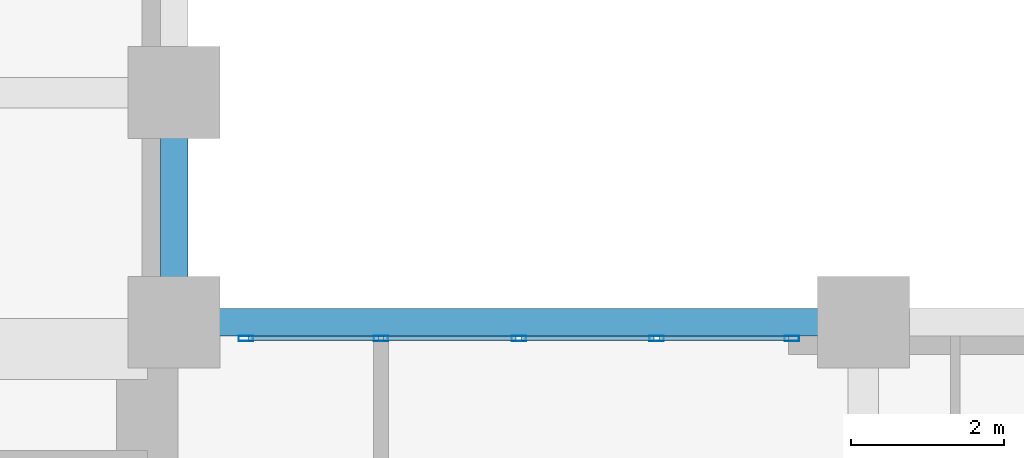
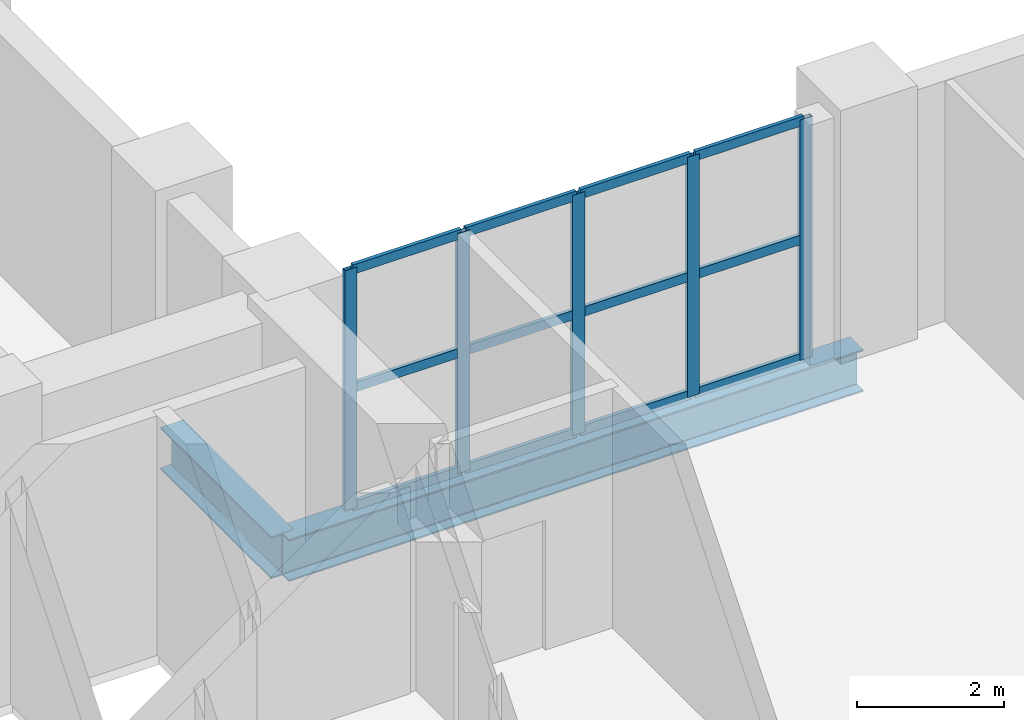
# One storey, part 2 of 8: 17 members, 2 beams, 1 element without a shape of its own.
"""IFC4 building model written with IfcOpenShell, lengths in metres."""

from ifc_helpers import new_model, si_unit, direction, frame, origin, origin_2d, place, context, subcontext, project, spatial, hollow_rectangle, i_section, extrude, material, layer, layer_set, material_profile, profile_set, type_object, element, aggregate, save


model = new_model("IFC4")

# Units and contexts
model_context = context("Model", 3, precision=1e-05, world=origin(), true_north=direction((0.0, 1.0)))
body_context = subcontext(model_context, "Body", "Model", "MODEL_VIEW")
ifc_project = project(units=[si_unit("LENGTHUNIT", "METRE"), si_unit("AREAUNIT", "SQUARE_METRE"), si_unit("VOLUMEUNIT", "CUBIC_METRE"), si_unit("PLANEANGLEUNIT", "RADIAN"), si_unit("MASSUNIT", "GRAM", prefix="KILO")], contexts=[model_context])

# Site, building, storey
site_placement = place(None, origin())
site = spatial("IfcSite", under=ifc_project, at=site_placement, CompositionType="ELEMENT")
building_placement = place(site_placement, origin())
building = spatial("IfcBuilding", under=site, at=building_placement, Name="Mawjdan Bourse Tower", CompositionType="ELEMENT")
storey_placement = place(building_placement, frame((0.0, 0.0, 25.800048828125)))
storey = spatial("IfcBuildingStorey", under=building, at=storey_placement, Name="L05", CompositionType="ELEMENT", Elevation=25.800048828125)

# Curtain wall, members
ifc_material_1 = material(Name="Thermally Broken Aluminium and Solar Glass", Category="aluminium")
ifc_layer = layer(ifc_material_1, 0.219970703125)
ifc_layer_set = layer_set([ifc_layer], Name="Thermally Broken Aluminium and Solar Glass")
curtain_wall_type = type_object("IfcCurtainWallType", Name="CW-ATR", PredefinedType="USERDEFINED", material=ifc_layer_set)
curtain_wall_placement = place(storey_placement, origin())
curtain_wall = element("IfcCurtainWall", 1, at=curtain_wall_placement, inside=storey, type_object=curtain_wall_type, Name="L05 Northeast Atrium Court Curtain Wall", ObjectType="ATRIUM GLAZED CURTAIN WALL", PredefinedType="USERDEFINED")
ifc_material_2 = material(Name="Thermally Broken Anodised Aluminium", Category="aluminium")
ifc_material_profile_1 = material_profile(ifc_material_2, hollow_rectangle(XDim=0.070068359375, YDim=0.18994140625, WallThickness=0.00439453125, at=origin_2d()), Name="ALU-MUL-190X70")
ifc_profile_set_1 = profile_set([ifc_material_profile_1], Name="Thermally Broken Anodised Aluminium")
member_type_1 = type_object("IfcMemberType", Name="MUL-ALU-MUL-190X70", PredefinedType="MULLION", material=ifc_profile_set_1)
member_1_placement = place(storey_placement, frame((32.06494140625, 20.7900390625, 0.0), z_axis=(0.0, 0.0, 1.0), x_axis=(0.0, -1.0, 0.0)))
member_1 = element("IfcMember", 2, at=member_1_placement, type_object=member_type_1, Name="CW-ATR-L05-ATR-NE mullion 1", PredefinedType="MULLION", context=body_context, shape_type="SweptSolid", body=[
    extrude(hollow_rectangle(XDim=0.070068359375, YDim=0.18994140625, WallThickness=0.00439453125, at=origin_2d()), origin(), (0.0, 0.0, 1.0), 3.97998046875),
])
member_2_placement = place(storey_placement, frame((30.300048828125, 20.7900390625, 0.0), z_axis=(0.0, 0.0, 1.0), x_axis=(0.0, -1.0, 0.0)))
member_2 = element("IfcMember", 3, at=member_2_placement, type_object=member_type_1, Name="CW-ATR-L05-ATR-NE mullion 2", PredefinedType="MULLION", context=body_context, shape_type="SweptSolid", body=[
    extrude(hollow_rectangle(XDim=0.070068359375, YDim=0.18994140625, WallThickness=0.00439453125, at=origin_2d()), origin(), (0.0, 0.0, 1.0), 3.97998046875),
])
member_3_placement = place(storey_placement, frame((28.5, 20.7900390625, 0.0), z_axis=(0.0, 0.0, 1.0), x_axis=(0.0, -1.0, 0.0)))
member_3 = element("IfcMember", 4, at=member_3_placement, type_object=member_type_1, Name="CW-ATR-L05-ATR-NE mullion 3", PredefinedType="MULLION", context=body_context, shape_type="SweptSolid", body=[
    extrude(hollow_rectangle(XDim=0.070068359375, YDim=0.18994140625, WallThickness=0.00439453125, at=origin_2d()), origin(), (0.0, 0.0, 1.0), 3.97998046875),
])
member_4_placement = place(storey_placement, frame((26.699951171875, 20.7900390625, 0.0), z_axis=(0.0, 0.0, 1.0), x_axis=(0.0, -1.0, 0.0)))
member_4 = element("IfcMember", 5, at=member_4_placement, type_object=member_type_1, Name="CW-ATR-L05-ATR-NE mullion 4", PredefinedType="MULLION", context=body_context, shape_type="SweptSolid", body=[
    extrude(hollow_rectangle(XDim=0.070068359375, YDim=0.18994140625, WallThickness=0.00439453125, at=origin_2d()), origin(), (0.0, 0.0, 1.0), 3.97998046875),
])
member_5_placement = place(storey_placement, frame((24.93505859375, 20.7900390625, 0.0), z_axis=(0.0, 0.0, 1.0), x_axis=(0.0, -1.0, 0.0)))
member_5 = element("IfcMember", 6, at=member_5_placement, type_object=member_type_1, Name="CW-ATR-L05-ATR-NE mullion 5", PredefinedType="MULLION", context=body_context, shape_type="SweptSolid", body=[
    extrude(hollow_rectangle(XDim=0.070068359375, YDim=0.18994140625, WallThickness=0.00439453125, at=origin_2d()), origin(), (0.0, 0.0, 1.0), 3.97998046875),
])

# Beams
ifc_material_3 = material(Name="Structural Steel S355", Category="steel")
ifc_material_profile_2 = material_profile(ifc_material_3, i_section(OverallWidth=0.35498046875, OverallDepth=0.696044921875, WebThickness=0.015380859375, FlangeThickness=0.02490234375, FilletRadius=0.019775390625, at=origin_2d()), Name="W27X146")
ifc_profile_set_2 = profile_set([ifc_material_profile_2], Name="Structural Steel S355")
beam_type = type_object("IfcBeamType", Name="SPN-W27X146", PredefinedType="SPANDREL", material=ifc_profile_set_2)
beam_1_placement = place(storey_placement, frame((24.0, 21.0, -0.568115234375), z_axis=(1.0, 0.0, 0.0), x_axis=(0.0, 1.0, 0.0)))
element("IfcBeam", 7, at=beam_1_placement, inside=storey, type_object=beam_type, Name="L05 Perimeter Masonry-Shelf Spandrel 018", PredefinedType="SPANDREL", context=body_context, shape_type="SweptSolid", body=[
    extrude(i_section(OverallWidth=0.35498046875, OverallDepth=0.696044921875, WebThickness=0.015380859375, FlangeThickness=0.02490234375, FilletRadius=0.019775390625, at=origin_2d()), origin(), (0.0, 0.0, 1.0), 9.0),
])
beam_2_placement = place(storey_placement, frame((24.0, 21.0, -0.568115234375), z_axis=(0.0, 1.0, 0.0), x_axis=(-1.0, 0.0, 0.0)))
element("IfcBeam", 8, at=beam_2_placement, inside=storey, type_object=beam_type, Name="L05 North Wing Spandrel 083", PredefinedType="SPANDREL", context=body_context, shape_type="SweptSolid", body=[
    extrude(i_section(OverallWidth=0.35498046875, OverallDepth=0.696044921875, WebThickness=0.015380859375, FlangeThickness=0.02490234375, FilletRadius=0.019775390625, at=origin_2d()), origin(), (0.0, 0.0, 1.0), 3.0),
])

# Member
ifc_material_profile_3 = material_profile(ifc_material_2, hollow_rectangle(XDim=0.06005859375, YDim=0.155029296875, WallThickness=0.00390625, at=origin_2d()), Name="ALU-TRN-155X60")
ifc_profile_set_3 = profile_set([ifc_material_profile_3], Name="Thermally Broken Anodised Aluminium")
member_type_2 = type_object("IfcMemberType", Name="TRN-ALU-TRN-155X60", PredefinedType="USERDEFINED", material=ifc_profile_set_3)
member_6_placement = place(storey_placement, frame((32.030029296875, 20.7900390625, 0.030029296875), z_axis=(-1.0, 0.0, 0.0), x_axis=(0.0, -1.0, 0.0)))
member_6 = element("IfcMember", 9, at=member_6_placement, type_object=member_type_2, Name="CW-ATR-L05-ATR-NE transom 1.1", ObjectType="TRANSOM", PredefinedType="USERDEFINED", context=body_context, shape_type="SweptSolid", body=[
    extrude(hollow_rectangle(XDim=0.06005859375, YDim=0.155029296875, WallThickness=0.00390625, at=origin_2d()), origin(), (0.0, 0.0, 1.0), 1.695068359375),
])

member_7_placement = place(storey_placement, frame((32.030029296875, 20.7900390625, 1.989990234375), z_axis=(-1.0, 0.0, 0.0), x_axis=(0.0, -1.0, 0.0)))
member_7 = element("IfcMember", 10, at=member_7_placement, type_object=member_type_2, Name="CW-ATR-L05-ATR-NE transom 1.2", ObjectType="TRANSOM", PredefinedType="USERDEFINED", context=body_context, shape_type="SweptSolid", body=[
    extrude(hollow_rectangle(XDim=0.06005859375, YDim=0.155029296875, WallThickness=0.00390625, at=origin_2d()), origin(), (0.0, 0.0, 1.0), 1.695068359375),
])

member_8_placement = place(storey_placement, frame((32.030029296875, 20.7900390625, 3.949951171875), z_axis=(-1.0, 0.0, 0.0), x_axis=(0.0, -1.0, 0.0)))
member_8 = element("IfcMember", 11, at=member_8_placement, type_object=member_type_2, Name="CW-ATR-L05-ATR-NE transom 1.3", ObjectType="TRANSOM", PredefinedType="USERDEFINED", context=body_context, shape_type="SweptSolid", body=[
    extrude(hollow_rectangle(XDim=0.06005859375, YDim=0.155029296875, WallThickness=0.00390625, at=origin_2d()), origin(), (0.0, 0.0, 1.0), 1.695068359375),
])

member_9_placement = place(storey_placement, frame((30.264892578125, 20.7900390625, 0.030029296875), z_axis=(-1.0, 0.0, 0.0), x_axis=(0.0, -1.0, 0.0)))
member_9 = element("IfcMember", 12, at=member_9_placement, type_object=member_type_2, Name="CW-ATR-L05-ATR-NE transom 2.1", ObjectType="TRANSOM", PredefinedType="USERDEFINED", context=body_context, shape_type="SweptSolid", body=[
    extrude(hollow_rectangle(XDim=0.06005859375, YDim=0.155029296875, WallThickness=0.00390625, at=origin_2d()), origin(), (0.0, 0.0, 1.0), 1.72998046875),
])

member_10_placement = place(storey_placement, frame((30.264892578125, 20.7900390625, 1.989990234375), z_axis=(-1.0, 0.0, 0.0), x_axis=(0.0, -1.0, 0.0)))
member_10 = element("IfcMember", 13, at=member_10_placement, type_object=member_type_2, Name="CW-ATR-L05-ATR-NE transom 2.2", ObjectType="TRANSOM", PredefinedType="USERDEFINED", context=body_context, shape_type="SweptSolid", body=[
    extrude(hollow_rectangle(XDim=0.06005859375, YDim=0.155029296875, WallThickness=0.00390625, at=origin_2d()), origin(), (0.0, 0.0, 1.0), 1.72998046875),
])

member_11_placement = place(storey_placement, frame((30.264892578125, 20.7900390625, 3.949951171875), z_axis=(-1.0, 0.0, 0.0), x_axis=(0.0, -1.0, 0.0)))
member_11 = element("IfcMember", 14, at=member_11_placement, type_object=member_type_2, Name="CW-ATR-L05-ATR-NE transom 2.3", ObjectType="TRANSOM", PredefinedType="USERDEFINED", context=body_context, shape_type="SweptSolid", body=[
    extrude(hollow_rectangle(XDim=0.06005859375, YDim=0.155029296875, WallThickness=0.00390625, at=origin_2d()), origin(), (0.0, 0.0, 1.0), 1.72998046875),
])

member_12_placement = place(storey_placement, frame((28.465087890625, 20.7900390625, 0.030029296875), z_axis=(-1.0, 0.0, 0.0), x_axis=(0.0, -1.0, 0.0)))
member_12 = element("IfcMember", 15, at=member_12_placement, type_object=member_type_2, Name="CW-ATR-L05-ATR-NE transom 3.1", ObjectType="TRANSOM", PredefinedType="USERDEFINED", context=body_context, shape_type="SweptSolid", body=[
    extrude(hollow_rectangle(XDim=0.06005859375, YDim=0.155029296875, WallThickness=0.00390625, at=origin_2d()), origin(), (0.0, 0.0, 1.0), 1.72998046875),
])

member_13_placement = place(storey_placement, frame((28.465087890625, 20.7900390625, 1.989990234375), z_axis=(-1.0, 0.0, 0.0), x_axis=(0.0, -1.0, 0.0)))
member_13 = element("IfcMember", 16, at=member_13_placement, type_object=member_type_2, Name="CW-ATR-L05-ATR-NE transom 3.2", ObjectType="TRANSOM", PredefinedType="USERDEFINED", context=body_context, shape_type="SweptSolid", body=[
    extrude(hollow_rectangle(XDim=0.06005859375, YDim=0.155029296875, WallThickness=0.00390625, at=origin_2d()), origin(), (0.0, 0.0, 1.0), 1.72998046875),
])

member_14_placement = place(storey_placement, frame((28.465087890625, 20.7900390625, 3.949951171875), z_axis=(-1.0, 0.0, 0.0), x_axis=(0.0, -1.0, 0.0)))
member_14 = element("IfcMember", 17, at=member_14_placement, type_object=member_type_2, Name="CW-ATR-L05-ATR-NE transom 3.3", ObjectType="TRANSOM", PredefinedType="USERDEFINED", context=body_context, shape_type="SweptSolid", body=[
    extrude(hollow_rectangle(XDim=0.06005859375, YDim=0.155029296875, WallThickness=0.00390625, at=origin_2d()), origin(), (0.0, 0.0, 1.0), 1.72998046875),
])

member_15_placement = place(storey_placement, frame((26.6650390625, 20.7900390625, 0.030029296875), z_axis=(-1.0, 0.0, 0.0), x_axis=(0.0, -1.0, 0.0)))
member_15 = element("IfcMember", 18, at=member_15_placement, type_object=member_type_2, Name="CW-ATR-L05-ATR-NE transom 4.1", ObjectType="TRANSOM", PredefinedType="USERDEFINED", context=body_context, shape_type="SweptSolid", body=[
    extrude(hollow_rectangle(XDim=0.06005859375, YDim=0.155029296875, WallThickness=0.00390625, at=origin_2d()), origin(), (0.0, 0.0, 1.0), 1.695068359375),
])

member_16_placement = place(storey_placement, frame((26.6650390625, 20.7900390625, 1.989990234375), z_axis=(-1.0, 0.0, 0.0), x_axis=(0.0, -1.0, 0.0)))
member_16 = element("IfcMember", 19, at=member_16_placement, type_object=member_type_2, Name="CW-ATR-L05-ATR-NE transom 4.2", ObjectType="TRANSOM", PredefinedType="USERDEFINED", context=body_context, shape_type="SweptSolid", body=[
    extrude(hollow_rectangle(XDim=0.06005859375, YDim=0.155029296875, WallThickness=0.00390625, at=origin_2d()), origin(), (0.0, 0.0, 1.0), 1.695068359375),
])

member_17_placement = place(storey_placement, frame((26.6650390625, 20.7900390625, 3.949951171875), z_axis=(-1.0, 0.0, 0.0), x_axis=(0.0, -1.0, 0.0)))
member_17 = element("IfcMember", 20, at=member_17_placement, type_object=member_type_2, Name="CW-ATR-L05-ATR-NE transom 4.3", ObjectType="TRANSOM", PredefinedType="USERDEFINED", context=body_context, shape_type="SweptSolid", body=[
    extrude(hollow_rectangle(XDim=0.06005859375, YDim=0.155029296875, WallThickness=0.00390625, at=origin_2d()), origin(), (0.0, 0.0, 1.0), 1.695068359375),
])

aggregate(curtain_wall, [member_1, member_2, member_3, member_4, member_5, member_6, member_7, member_8, member_9, member_10, member_11, member_12, member_13, member_14, member_15, member_16, member_17])

save(model, "model.ifc")
